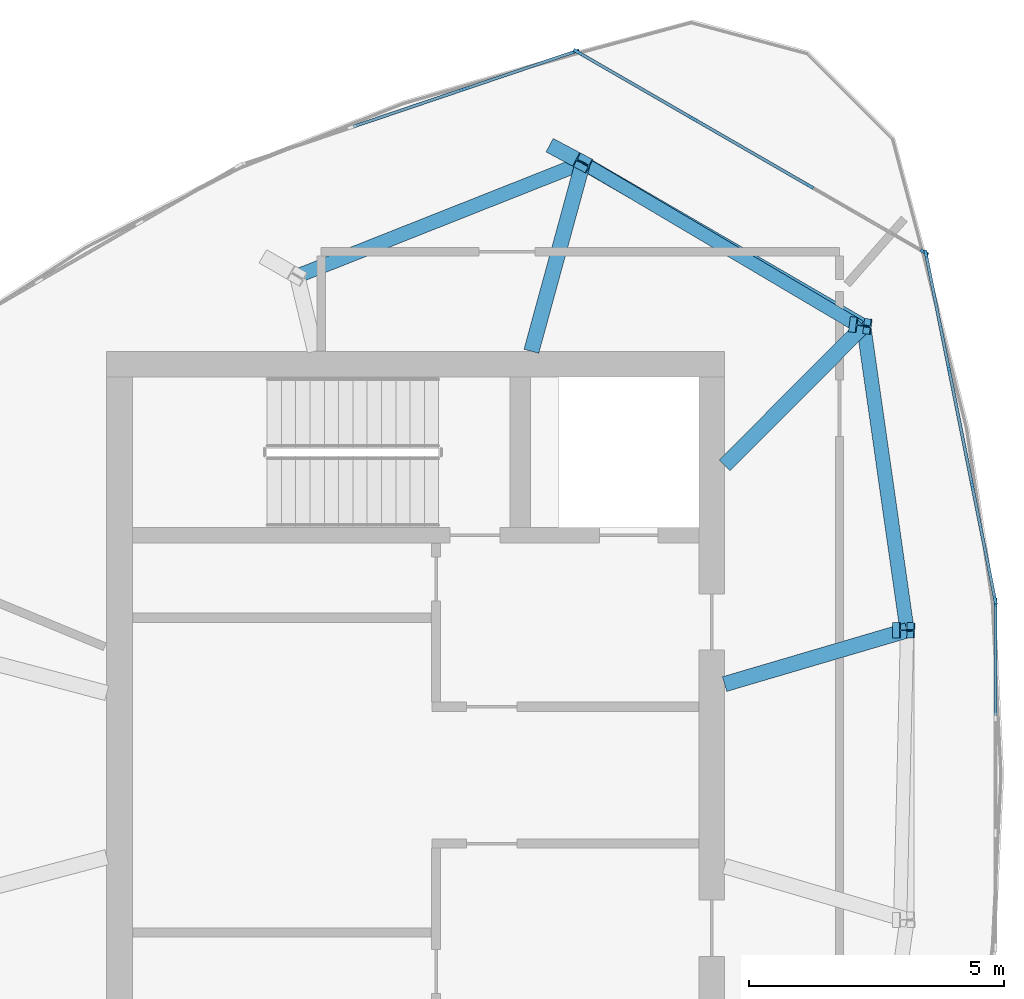
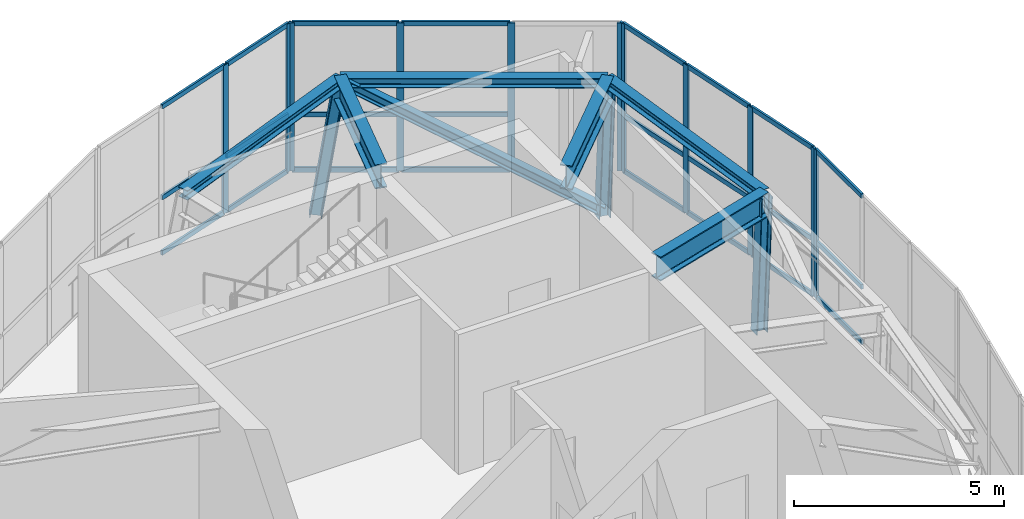
# One storey, part 4 of 9: 42 members, 3 beams, 4 elements without a shape of their own.
"""IFC4 building model written with IfcOpenShell, lengths in metres."""

import ifcopenshell
import ifcopenshell.guid

model = None  # the IFC model being written
_history = None  # IfcOwnerHistory: only IFC2X3 demands one
_inside = {}  # id of a spatial element -> (the spatial element, [elements in it])
_under = {}  # id of a project, library or spatial element -> (it, [spatial elements below it])
_declared = {}  # id of a project -> (the project, [libraries it declares])
_typed = {}  # id of a type object -> (the type object, [elements of that type])
_made_of = {}  # id of a material, layer set ... -> (it, [elements and type objects made of it])


def new_model(schema):
    """Start an empty IFC model of exactly this schema.

    Asked for "IFC4X3", IfcOpenShell would pick the latest addendum, in which some entities
    have other attributes; the version numbers below select the first issue.
    IFC2X3 requires an IfcOwnerHistory on every rooted entity: one is made here for all.
    """
    global model, _history
    if schema == "IFC4X3":
        model = ifcopenshell.file(schema_version=(4, 3, 0, 0))
    else:
        model = ifcopenshell.file(schema=schema)
    _inside.clear()
    _under.clear()
    _declared.clear()
    _typed.clear()
    _made_of.clear()
    _history = None
    if model.schema == "IFC2X3":
        org = make("IfcOrganization", Name="unknown")
        user = make(
            "IfcPersonAndOrganization",
            ThePerson=make("IfcPerson", FamilyName="unknown"),
            TheOrganization=org,
        )
        app = make(
            "IfcApplication",
            ApplicationDeveloper=org,
            Version="unknown",
            ApplicationFullName="unknown",
            ApplicationIdentifier="unknown",
        )
        _history = make(
            "IfcOwnerHistory",
            OwningUser=user,
            OwningApplication=app,
            ChangeAction="ADDED",
            CreationDate=0,
        )
    return model


def make(cls, **values):
    """One entity of the class cls with the attributes given. An attribute that is None is left unset."""
    return model.create_entity(
        cls, **{name: value for name, value in values.items() if value is not None}
    )


def rooted(cls, **values):
    """An entity with a GlobalId (a new one), such as an element, a storey or a relation."""
    return make(cls, GlobalId=ifcopenshell.guid.new(), OwnerHistory=_history, **values)


def si_unit(unit_type, name, prefix=None):
    """IfcSIUnit, for example si_unit("LENGTHUNIT", "METRE", prefix="MILLI")."""
    return make("IfcSIUnit", UnitType=unit_type, Prefix=prefix, Name=name)


def assignment(units):
    """IfcUnitAssignment: the units of a project."""
    return None if units is None else make("IfcUnitAssignment", Units=units)


def point(xyz):
    """IfcCartesianPoint."""
    return None if xyz is None else make("IfcCartesianPoint", Coordinates=xyz)


def direction(xyz):
    """IfcDirection."""
    return None if xyz is None else make("IfcDirection", DirectionRatios=xyz)


def frame(location, z_axis=None, x_axis=None):
    """IfcAxis2Placement3D, a coordinate frame: its origin and axes. An axis left out is left unset."""
    return make(
        "IfcAxis2Placement3D",
        Location=point(location),
        Axis=direction(z_axis),
        RefDirection=direction(x_axis),
    )


def frame_2d(location, x_axis=None):
    """IfcAxis2Placement2D, a coordinate frame in the plane: its origin and x axis."""
    return make(
        "IfcAxis2Placement2D", Location=point(location), RefDirection=direction(x_axis)
    )


def origin():
    """The frame at (0, 0, 0) with its axes left unset."""
    return frame((0.0, 0.0, 0.0))


def origin_2d():
    """The frame at (0, 0) in the plane with its x axis left unset."""
    return frame_2d((0.0, 0.0))


def place(relative_to, where):
    """IfcLocalPlacement: puts the frame where relative to a parent placement (None: the world)."""
    return make(
        "IfcLocalPlacement", PlacementRelTo=relative_to, RelativePlacement=where
    )


def context(
    kind, dimensions, precision=None, world=None, true_north=None, identifier=None
):
    """IfcGeometricRepresentationContext, for example the 3D "Model" context."""
    return make(
        "IfcGeometricRepresentationContext",
        ContextIdentifier=identifier,
        ContextType=kind,
        CoordinateSpaceDimension=dimensions,
        Precision=precision,
        WorldCoordinateSystem=world,
        TrueNorth=true_north,
    )


def subcontext(parent, identifier, kind, view, scale=None):
    """IfcGeometricRepresentationSubContext, for example "Body" below "Model"."""
    return make(
        "IfcGeometricRepresentationSubContext",
        ContextIdentifier=identifier,
        ContextType=kind,
        ParentContext=parent,
        TargetScale=scale,
        TargetView=view,
    )


def project(units=None, contexts=None):
    """IfcProject with its units and contexts."""
    return rooted(
        "IfcProject",
        Name="project",
        RepresentationContexts=contexts,
        UnitsInContext=assignment(units),
    )


def spatial(cls, under=None, at=None, **own):
    """A site, building, storey or space (cls), placed at a placement, below another one or the project."""
    s = rooted(cls, ObjectPlacement=at, **own)
    if under is not None:
        _under.setdefault(under.id(), (under, []))[1].append(s)
    return s


def profile(cls, at=None, kind="AREA", **sizes):
    """A parametric profile (cls). Its sizes go by their IFC names, for example OverallWidth=200.0."""
    return make(cls, ProfileType=kind, Position=at, **sizes)


def rectangle(**sizes):
    """IfcRectangleProfileDef."""
    return profile("IfcRectangleProfileDef", **sizes)


def i_section(**sizes):
    """IfcIShapeProfileDef."""
    return profile("IfcIShapeProfileDef", **sizes)


def extrude(swept, where, along, depth):
    """IfcExtrudedAreaSolid: the profile swept, set in the frame where, extruded along a direction by depth."""
    return make(
        "IfcExtrudedAreaSolid",
        SweptArea=swept,
        Position=where,
        ExtrudedDirection=direction(along),
        Depth=depth,
    )


def shape(context_of_items, identifier, shape_type, items):
    """IfcShapeRepresentation: the items that make up one representation, for example the "Body"."""
    return make(
        "IfcShapeRepresentation",
        ContextOfItems=context_of_items,
        RepresentationIdentifier=identifier,
        RepresentationType=shape_type,
        Items=items,
    )


def source(mapping_origin, context_of_items, identifier, shape_type, items):
    """IfcRepresentationMap: a shape defined once, which mapped items show again and again."""
    return make(
        "IfcRepresentationMap",
        MappingOrigin=mapping_origin,
        MappedRepresentation=shape(context_of_items, identifier, shape_type, items),
    )


def transform(
    local_origin,
    x_axis=None,
    y_axis=None,
    z_axis=None,
    scale=None,
    scale2=None,
    scale3=None,
    uniform=True,
):
    """IfcCartesianTransformationOperator3D, or its non-uniform kind. x_axis, y_axis, z_axis: its Axis1, 2, 3."""
    if uniform:
        return make(
            "IfcCartesianTransformationOperator3D",
            Axis1=direction(x_axis),
            Axis2=direction(y_axis),
            LocalOrigin=point(local_origin),
            Scale=scale,
            Axis3=direction(z_axis),
        )
    return make(
        "IfcCartesianTransformationOperator3DnonUniform",
        Axis1=direction(x_axis),
        Axis2=direction(y_axis),
        LocalOrigin=point(local_origin),
        Scale=scale,
        Axis3=direction(z_axis),
        Scale2=scale2,
        Scale3=scale3,
    )


def mapped(mapping_source, mapping_target):
    """IfcMappedItem: shows the shape of a source again, moved by a transform."""
    return make(
        "IfcMappedItem", MappingSource=mapping_source, MappingTarget=mapping_target
    )


def material(Name=None, Category=None):
    """IfcMaterial."""
    return make("IfcMaterial", Name=Name, Category=Category)


def layer(
    of_material, thickness, ventilated=None, Name=None, Category=None, Priority=None
):
    """IfcMaterialLayer: one layer of a wall or slab, of a material (None: an air gap)."""
    return make(
        "IfcMaterialLayer",
        Material=of_material,
        LayerThickness=thickness,
        IsVentilated=ventilated,
        Name=Name,
        Category=Category,
        Priority=Priority,
    )


def layer_set(layers, Name=None):
    """IfcMaterialLayerSet."""
    return make("IfcMaterialLayerSet", MaterialLayers=layers, LayerSetName=Name)


def material_profile(
    of_material, cross_section, Name=None, Category=None, Priority=None
):
    """IfcMaterialProfile: a cross section and its material."""
    return make(
        "IfcMaterialProfile",
        Name=Name,
        Material=of_material,
        Profile=cross_section,
        Priority=Priority,
        Category=Category,
    )


def profile_set(profiles, Name=None, composite=None):
    """IfcMaterialProfileSet."""
    return make(
        "IfcMaterialProfileSet",
        Name=Name,
        MaterialProfiles=profiles,
        CompositeProfile=composite,
    )


def made_of(thing, what):
    """Note that an element or type object is made of a material, layer set ...; save() writes the relation."""
    if what is not None:
        _made_of.setdefault(what.id(), (what, []))[1].append(thing)
    return thing


def type_object(cls, material=None, **own):
    """A type object (cls), such as IfcWallType, which elements share."""
    return made_of(rooted(cls, **own), material)


def element(
    cls,
    number,
    at=None,
    inside=None,
    cuts=None,
    type_object=None,
    material=None,
    context=None,
    identifier="Body",
    shape_type=None,
    held_by="IfcProductDefinitionShape",
    body=None,
    shapes=None,
    **own,
):
    """One element of the class cls, such as IfcWall. Its Tag is "e" and its number.

    at: its placement. inside: the storey or other place that contains it. cuts: it is an
    opening in that element (IfcRelVoidsElement). A single representation is given by context,
    identifier, shape_type and body (its items); several are given by shapes. held_by: the class
    of the entity that holds the representations. save() writes the other relations.
    """
    e = rooted(cls, Tag="e%d" % number, ObjectPlacement=at, **own)
    if body is not None:
        shapes = [shape(context, identifier, shape_type, body)]
    if shapes is not None:
        e.Representation = make(held_by, Representations=shapes)
    if inside is not None:
        _inside.setdefault(inside.id(), (inside, []))[1].append(e)
    if cuts is not None:
        rooted(
            "IfcRelVoidsElement", RelatingBuildingElement=cuts, RelatedOpeningElement=e
        )
    if type_object is not None:
        _typed.setdefault(type_object.id(), (type_object, []))[1].append(e)
    return made_of(e, material)


def aggregate(whole, parts):
    """IfcRelAggregates: a whole, such as a stair, and the parts it consists of."""
    return rooted("IfcRelAggregates", RelatingObject=whole, RelatedObjects=parts)


def save(model, path):
    """Write the relations noted so far, then the file.

    IfcRelAggregates (storeys below a building ...), IfcRelContainedInSpatialStructure (elements
    in a storey), IfcRelDefinesByType, IfcRelAssociatesMaterial and IfcRelDeclares: one each for
    every whole, place, type object, material and project.
    """
    for whole, parts in _under.values():
        aggregate(whole, parts)
    for where, things in _inside.values():
        rooted(
            "IfcRelContainedInSpatialStructure",
            RelatedElements=things,
            RelatingStructure=where,
        )
    for kind, things in _typed.values():
        rooted("IfcRelDefinesByType", RelatedObjects=things, RelatingType=kind)
    for what, things in _made_of.values():
        rooted("IfcRelAssociatesMaterial", RelatedObjects=things, RelatingMaterial=what)
    for by, libraries in _declared.values():
        rooted("IfcRelDeclares", RelatingContext=by, RelatedDefinitions=libraries)
    model.write(path)


model = new_model("IFC4")

# Units and contexts
model_context = context("Model", 3, precision=1e-05, world=origin(), true_north=direction((0.0, 1.0)))
body_context = subcontext(model_context, "Body", "Model", "MODEL_VIEW")
ifc_project = project(units=[si_unit("LENGTHUNIT", "METRE"), si_unit("AREAUNIT", "SQUARE_METRE"), si_unit("VOLUMEUNIT", "CUBIC_METRE"), si_unit("PLANEANGLEUNIT", "RADIAN"), si_unit("MASSUNIT", "GRAM", prefix="KILO")], contexts=[model_context])

# Site, building, storey
site_placement = place(None, origin())
site = spatial("IfcSite", under=ifc_project, at=site_placement, CompositionType="ELEMENT")
building_placement = place(site_placement, origin())
building = spatial("IfcBuilding", under=site, at=building_placement, Name="Qafzar Sky-Pleat Residences", CompositionType="ELEMENT")
storey_placement = place(building_placement, frame((0.0, 0.0, 266.10009765625)))
storey = spatial("IfcBuildingStorey", under=building, at=storey_placement, Name="L79 Crown", CompositionType="ELEMENT", Elevation=266.10009765625)

# Members
ifc_material_1 = material(Name="Steel S460", Category="steel")
ifc_material_profile_1 = material_profile(ifc_material_1, i_section(OverallWidth=0.300048828125, OverallDepth=0.300048828125, WebThickness=0.010986328125, FlangeThickness=0.01904296875, FilletRadius=0.027099609375, at=origin_2d()), Name="HEB 300")
ifc_profile_set_1 = profile_set([ifc_material_profile_1], Name="Steel S460")
member_type_1 = type_object("IfcMemberType", Name="MEM-CROWN-RIB", PredefinedType="CHORD", material=ifc_profile_set_1)
shared_shape_1 = source(origin(), body_context, "Body", "SweptSolid", [
    extrude(i_section(OverallWidth=0.300048828125, OverallDepth=0.300048828125, WebThickness=0.010986328125, FlangeThickness=0.01904296875, FilletRadius=0.027099609375, at=origin_2d()), origin(), (0.0, 0.0, 1.0), 3.898193359375),
])
member_1_placement = place(storey_placement, frame((38.9931640625, 34.812744140625, 0.0), z_axis=(0.033443834759, -0.004133507667, 0.999432050732), x_axis=(0.122662172065, 0.992448483068, 0.0)))
element("IfcMember", 1, at=member_1_placement, inside=storey, type_object=member_type_1, Name="L79 Crown CROWN FRAME Inclined Rib 9", PredefinedType="CHORD", context=body_context, shape_type="MappedRepresentation", body=[
    mapped(shared_shape_1, transform((0.0, 0.0, 0.0), x_axis=(1.0, 0.0, 0.0), y_axis=(0.0, 1.0, 0.0), z_axis=(0.0, 0.0, 1.0), scale=1.0)),
])
shared_shape_2 = source(origin(), body_context, "Body", "SweptSolid", [
    extrude(i_section(OverallWidth=0.300048828125, OverallDepth=0.300048828125, WebThickness=0.010986328125, FlangeThickness=0.01904296875, FilletRadius=0.027099609375, at=origin_2d()), origin(), (0.0, 0.0, 1.0), 3.8984375),
])
member_2_placement = place(storey_placement, frame((39.837158203125, 28.8359375, 0.0), z_axis=(0.03500797869, -0.0003131304, 0.999386983794), x_axis=(0.008944186046, 0.999959999968, 0.0)))
element("IfcMember", 2, at=member_2_placement, inside=storey, type_object=member_type_1, Name="L79 Crown CROWN FRAME Inclined Rib 8", PredefinedType="CHORD", context=body_context, shape_type="MappedRepresentation", body=[
    mapped(shared_shape_2, transform((0.0, 0.0, 0.0), x_axis=(1.0, 0.0, 0.0), y_axis=(0.0, 1.0, 0.0), z_axis=(0.0, 0.0, 1.0), scale=1.0)),
])
shared_shape_3 = source(origin(), body_context, "Body", "SweptSolid", [
    extrude(i_section(OverallWidth=0.300048828125, OverallDepth=0.300048828125, WebThickness=0.010986328125, FlangeThickness=0.01904296875, FilletRadius=0.027099609375, at=origin_2d()), origin(), (0.0, 0.0, 1.0), 3.940185546875),
])
member_3_placement = place(storey_placement, frame((33.10400390625, 38.265625, 0.0), z_axis=(0.13191647967, -0.070016731812, 0.988784961282), x_axis=(0.468821513928, 0.883292923145, 0.0)))
element("IfcMember", 3, at=member_3_placement, inside=storey, type_object=member_type_1, Name="L79 Crown CROWN FRAME Inclined Rib 10", PredefinedType="CHORD", context=body_context, shape_type="MappedRepresentation", body=[
    mapped(shared_shape_3, transform((0.0, 0.0, 0.0), x_axis=(1.0, 0.0, 0.0), y_axis=(0.0, 1.0, 0.0), z_axis=(0.0, 0.0, 1.0), scale=1.0)),
])
ifc_material_2 = material(Name="Steel S355", Category="steel")
ifc_material_profile_2 = material_profile(ifc_material_2, i_section(OverallWidth=0.280029296875, OverallDepth=0.280029296875, WebThickness=0.010498046875, FlangeThickness=0.01806640625, FilletRadius=0.02392578125, at=origin_2d()), Name="HEB 280")
ifc_profile_set_2 = profile_set([ifc_material_profile_2], Name="Steel S355")
member_type_2 = type_object("IfcMemberType", Name="MEM-CROWN-RING", PredefinedType="PURLIN", material=ifc_profile_set_2)
shared_shape_4 = source(origin(), body_context, "Body", "SweptSolid", [
    extrude(i_section(OverallWidth=0.280029296875, OverallDepth=0.280029296875, WebThickness=0.010498046875, FlangeThickness=0.01806640625, FilletRadius=0.02392578125, at=origin_2d()), origin(), (0.0, 0.0, 1.0), 6.017333984375),
])
member_4_placement = place(storey_placement, frame((33.623779296875, 37.98974609375, 3.906005859375), z_axis=(-0.929683335589, -0.368359736572, 0.0), x_axis=(0.368359736572, -0.929683335589, 0.0)))
element("IfcMember", 4, at=member_4_placement, inside=storey, type_object=member_type_2, Name="L79 Crown CROWN FRAME Ring Beam 10", PredefinedType="PURLIN", context=body_context, shape_type="MappedRepresentation", body=[
    mapped(shared_shape_4, transform((0.0, 0.0, 0.0), x_axis=(1.0, 0.0, 0.0), y_axis=(0.0, 1.0, 0.0), z_axis=(0.0, 0.0, 1.0), scale=1.0)),
])
shared_shape_5 = source(origin(), body_context, "Body", "SweptSolid", [
    extrude(i_section(OverallWidth=0.280029296875, OverallDepth=0.280029296875, WebThickness=0.010498046875, FlangeThickness=0.01806640625, FilletRadius=0.02392578125, at=origin_2d()), origin(), (0.0, 0.0, 1.0), 6.359619140625),
])
member_5_placement = place(storey_placement, frame((39.12353515625, 34.796630859375, 3.906005859375), z_axis=(-0.864808842943, 0.502101249916, 0.0), x_axis=(-0.502101249916, -0.864808842943, 0.0)))
element("IfcMember", 5, at=member_5_placement, inside=storey, type_object=member_type_2, Name="L79 Crown CROWN FRAME Ring Beam 9", PredefinedType="PURLIN", context=body_context, shape_type="MappedRepresentation", body=[
    mapped(shared_shape_5, transform((0.0, 0.0, 0.0), x_axis=(1.0, 0.0, 0.0), y_axis=(0.0, 1.0, 0.0), z_axis=(0.0, 0.0, 1.0), scale=1.0)),
])
shared_shape_6 = source(origin(), body_context, "Body", "SweptSolid", [
    extrude(i_section(OverallWidth=0.280029296875, OverallDepth=0.280029296875, WebThickness=0.010498046875, FlangeThickness=0.01806640625, FilletRadius=0.02392578125, at=origin_2d()), origin(), (0.0, 0.0, 1.0), 6.022216796875),
])
member_6_placement = place(storey_placement, frame((39.9736328125, 28.834716796875, 3.906005859375), z_axis=(-0.141160273731, 0.989986756033, 0.0), x_axis=(-0.989986756033, -0.141160273731, 0.0)))
element("IfcMember", 6, at=member_6_placement, inside=storey, type_object=member_type_2, Name="L79 Crown CROWN FRAME Ring Beam 8", PredefinedType="PURLIN", context=body_context, shape_type="MappedRepresentation", body=[
    mapped(shared_shape_6, transform((0.0, 0.0, 0.0), x_axis=(1.0, 0.0, 0.0), y_axis=(0.0, 1.0, 0.0), z_axis=(0.0, 0.0, 1.0), scale=1.0)),
])
ifc_material_profile_3 = material_profile(ifc_material_2, i_section(OverallWidth=0.260009765625, OverallDepth=0.260009765625, WebThickness=0.010009765625, FlangeThickness=0.017578125, FilletRadius=0.02392578125, at=origin_2d()), Name="HEB 260")
ifc_profile_set_3 = profile_set([ifc_material_profile_3], Name="Steel S355")
member_type_3 = type_object("IfcMemberType", Name="MEM-CROWN-DIAG", PredefinedType="BRACE", material=ifc_profile_set_3)
shared_shape_7 = source(origin(), body_context, "Body", "SweptSolid", [
    extrude(i_section(OverallWidth=0.260009765625, OverallDepth=0.260009765625, WebThickness=0.010009765625, FlangeThickness=0.017578125, FilletRadius=0.02392578125, at=origin_2d()), origin(), (0.0, 0.0, 1.0), 7.26171875),
])
member_7_placement = place(storey_placement, frame((38.9931640625, 34.812744140625, 0.199951171875), z_axis=(-0.73940815663, 0.437499128915, 0.511732439961), x_axis=(-0.509226259187, -0.860632684108, 0.0)))
element("IfcMember", 7, at=member_7_placement, inside=storey, type_object=member_type_3, Name="L79 Crown CROWN FRAME Wind Brace 9", PredefinedType="BRACE", context=body_context, shape_type="MappedRepresentation", body=[
    mapped(shared_shape_7, transform((0.0, 0.0, 0.0), x_axis=(1.0, 0.0, 0.0), y_axis=(0.0, 1.0, 0.0), z_axis=(0.0, 0.0, 1.0), scale=1.0)),
])

# Beams
ifc_material_profile_4 = material_profile(ifc_material_1, i_section(OverallWidth=0.300048828125, OverallDepth=0.699951171875, WebThickness=0.01708984375, FlangeThickness=0.031982421875, FilletRadius=0.027099609375, at=origin_2d()), Name="HEB 700")
ifc_profile_set_4 = profile_set([ifc_material_profile_4], Name="Steel S460")
beam_type = type_object("IfcBeamType", Name="BM-CHORD-HEB700", PredefinedType="BEAM", material=ifc_profile_set_4)
shared_shape_8 = source(origin(), body_context, "Body", "SweptSolid", [
    extrude(i_section(OverallWidth=0.300048828125, OverallDepth=0.699951171875, WebThickness=0.01708984375, FlangeThickness=0.031982421875, FilletRadius=0.027099609375, at=origin_2d()), origin(), (0.0, 0.0, 1.0), 3.82470703125),
])
beam_1_placement = place(storey_placement, frame((33.623779296875, 37.98974609375, 3.697998046875), z_axis=(-0.263430654969, -0.964678335002, 0.0), x_axis=(0.964678335002, -0.263430654969, 0.0)))
element("IfcBeam", 8, at=beam_1_placement, inside=storey, type_object=beam_type, Name="L80 Crown Crown Rib Base Transfer Beam 10", PredefinedType="BEAM", context=body_context, shape_type="MappedRepresentation", body=[
    mapped(shared_shape_8, transform((0.0, 0.0, 0.0), x_axis=(1.0, 0.0, 0.0), y_axis=(0.0, 1.0, 0.0), z_axis=(0.0, 0.0, 1.0), scale=1.0)),
])
shared_shape_9 = source(origin(), body_context, "Body", "SweptSolid", [
    extrude(i_section(OverallWidth=0.300048828125, OverallDepth=0.699951171875, WebThickness=0.01708984375, FlangeThickness=0.031982421875, FilletRadius=0.027099609375, at=origin_2d()), origin(), (0.0, 0.0, 1.0), 3.856689453125),
])
beam_2_placement = place(storey_placement, frame((39.12353515625, 34.796630859375, 3.697998046875), z_axis=(-0.706188317892, -0.708024053032, 0.0), x_axis=(0.708024053032, -0.706188317892, 0.0)))
element("IfcBeam", 9, at=beam_2_placement, inside=storey, type_object=beam_type, Name="L80 Crown Crown Rib Base Transfer Beam 9", PredefinedType="BEAM", context=body_context, shape_type="MappedRepresentation", body=[
    mapped(shared_shape_9, transform((0.0, 0.0, 0.0), x_axis=(1.0, 0.0, 0.0), y_axis=(0.0, 1.0, 0.0), z_axis=(0.0, 0.0, 1.0), scale=1.0)),
])
shared_shape_10 = source(origin(), body_context, "Body", "SweptSolid", [
    extrude(i_section(OverallWidth=0.300048828125, OverallDepth=0.699951171875, WebThickness=0.01708984375, FlangeThickness=0.031982421875, FilletRadius=0.027099609375, at=origin_2d()), origin(), (0.0, 0.0, 1.0), 3.7255859375),
])
beam_3_placement = place(storey_placement, frame((39.9736328125, 28.834716796875, 3.697998046875), z_axis=(-0.95924645831, -0.28257075613, 0.0), x_axis=(0.28257075613, -0.95924645831, 0.0)))
element("IfcBeam", 10, at=beam_3_placement, inside=storey, type_object=beam_type, Name="L80 Crown Crown Rib Base Transfer Beam 8", PredefinedType="BEAM", context=body_context, shape_type="MappedRepresentation", body=[
    mapped(shared_shape_10, transform((0.0, 0.0, 0.0), x_axis=(1.0, 0.0, 0.0), y_axis=(0.0, 1.0, 0.0), z_axis=(0.0, 0.0, 1.0), scale=1.0)),
])

# Curtain wall, member
ifc_material_3 = material(Name="Anodised bronze aluminium framing", Category="aluminium")
ifc_layer = layer(ifc_material_3, 0.179931640625)
ifc_layer_set = layer_set([ifc_layer], Name="Anodised bronze aluminium framing")
curtain_wall_type = type_object("IfcCurtainWallType", Name="CW-SYS-06", PredefinedType="NOTDEFINED", material=ifc_layer_set)
curtain_wall_1_placement = place(storey_placement, origin())
curtain_wall_1 = element("IfcCurtainWall", 11, at=curtain_wall_1_placement, inside=storey, type_object=curtain_wall_type, Name="L79 Crown CW-06 Curtain Wall CW-CROWN-04-07", PredefinedType="NOTDEFINED")
ifc_material_4 = material(Name="Anodised bronze aluminium", Category="aluminium")
ifc_material_profile_5 = material_profile(ifc_material_4, rectangle(XDim=0.06005859375, YDim=0.179931640625, at=origin_2d()), Name="ALU MULLION 60x180")
ifc_profile_set_5 = profile_set([ifc_material_profile_5], Name="Anodised bronze aluminium")
member_type_4 = type_object("IfcMemberType", Name="CWM-06", PredefinedType="MULLION", material=ifc_profile_set_5)
shared_shape_11 = source(origin(), body_context, "Body", "SweptSolid", [
    extrude(rectangle(XDim=0.06005859375, YDim=0.179931640625, at=origin_2d()), origin(), (0.0, 0.0, 1.0), 4.2998046875),
])
member_8_placement = place(storey_placement, frame((41.701416015625, 29.37841796875, 0.0), z_axis=(0.0, 0.0, 1.0), x_axis=(-1.0, 0.0, 0.0)))
member_8 = element("IfcMember", 12, at=member_8_placement, type_object=member_type_4, Name="CW-06 mullion 4", PredefinedType="MULLION", context=body_context, shape_type="MappedRepresentation", body=[
    mapped(shared_shape_11, transform((0.0, 0.0, 0.0), x_axis=(1.0, 0.0, 0.0), y_axis=(0.0, 1.0, 0.0), z_axis=(0.0, 0.0, 1.0), scale=1.0)),
])

# Curtain wall, members
curtain_wall_2_placement = place(storey_placement, origin())
curtain_wall_2 = element("IfcCurtainWall", 13, at=curtain_wall_2_placement, inside=storey, type_object=curtain_wall_type, Name="L79 Crown CW-06 Curtain Wall CW-CROWN-04-08", PredefinedType="NOTDEFINED")
member_9_placement = place(storey_placement, frame((41.6953125, 29.437744140625, 0.0), z_axis=(0.0, 0.0, 1.0), x_axis=(-0.980580675691, -0.196116135138, 0.0)))
member_9 = element("IfcMember", 14, at=member_9_placement, type_object=member_type_4, Name="CW-06 mullion 1", PredefinedType="MULLION", context=body_context, shape_type="MappedRepresentation", body=[
    mapped(shared_shape_11, transform((0.0, 0.0, 0.0), x_axis=(1.0, 0.0, 0.0), y_axis=(0.0, 1.0, 0.0), z_axis=(0.0, 0.0, 1.0), scale=1.0)),
])
member_10_placement = place(storey_placement, frame((41.246826171875, 31.680419921875, 0.0), z_axis=(0.0, 0.0, 1.0), x_axis=(-0.980580675691, -0.196116135138, 0.0)))
member_10 = element("IfcMember", 15, at=member_10_placement, type_object=member_type_4, Name="CW-06 mullion 2", PredefinedType="MULLION", context=body_context, shape_type="MappedRepresentation", body=[
    mapped(shared_shape_11, transform((0.0, 0.0, 0.0), x_axis=(1.0, 0.0, 0.0), y_axis=(0.0, 1.0, 0.0), z_axis=(0.0, 0.0, 1.0), scale=1.0)),
])
member_11_placement = place(storey_placement, frame((40.79248046875, 33.95263671875, 0.0), z_axis=(0.0, 0.0, 1.0), x_axis=(-0.980580675691, -0.196116135138, 0.0)))
member_11 = element("IfcMember", 16, at=member_11_placement, type_object=member_type_4, Name="CW-06 mullion 3", PredefinedType="MULLION", context=body_context, shape_type="MappedRepresentation", body=[
    mapped(shared_shape_11, transform((0.0, 0.0, 0.0), x_axis=(1.0, 0.0, 0.0), y_axis=(0.0, 1.0, 0.0), z_axis=(0.0, 0.0, 1.0), scale=1.0)),
])
member_12_placement = place(storey_placement, frame((40.343994140625, 36.1953125, 0.0), z_axis=(0.0, 0.0, 1.0), x_axis=(-0.980580675691, -0.196116135138, 0.0)))
member_12 = element("IfcMember", 17, at=member_12_placement, type_object=member_type_4, Name="CW-06 mullion 4", PredefinedType="MULLION", context=body_context, shape_type="MappedRepresentation", body=[
    mapped(shared_shape_11, transform((0.0, 0.0, 0.0), x_axis=(1.0, 0.0, 0.0), y_axis=(0.0, 1.0, 0.0), z_axis=(0.0, 0.0, 1.0), scale=1.0)),
])

curtain_wall_3_placement = place(storey_placement, origin())
curtain_wall_3 = element("IfcCurtainWall", 18, at=curtain_wall_3_placement, inside=storey, type_object=curtain_wall_type, Name="L79 Crown CW-06 Curtain Wall CW-CROWN-04-09", PredefinedType="NOTDEFINED")
member_13_placement = place(storey_placement, frame((40.31201171875, 36.23974609375, 0.0), z_axis=(0.0, 0.0, 1.0), x_axis=(-0.500001400555, -0.866024595172, 0.0)))
member_13 = element("IfcMember", 19, at=member_13_placement, type_object=member_type_4, Name="CW-06 mullion 1", PredefinedType="MULLION", context=body_context, shape_type="MappedRepresentation", body=[
    mapped(shared_shape_11, transform((0.0, 0.0, 0.0), x_axis=(1.0, 0.0, 0.0), y_axis=(0.0, 1.0, 0.0), z_axis=(0.0, 0.0, 1.0), scale=1.0)),
])
member_14_placement = place(storey_placement, frame((38.056640625, 37.5419921875, 0.0), z_axis=(0.0, 0.0, 1.0), x_axis=(-0.500001400555, -0.866024595172, 0.0)))
member_14 = element("IfcMember", 20, at=member_14_placement, type_object=member_type_4, Name="CW-06 mullion 2", PredefinedType="MULLION", context=body_context, shape_type="MappedRepresentation", body=[
    mapped(shared_shape_11, transform((0.0, 0.0, 0.0), x_axis=(1.0, 0.0, 0.0), y_axis=(0.0, 1.0, 0.0), z_axis=(0.0, 0.0, 1.0), scale=1.0)),
])
member_15_placement = place(storey_placement, frame((35.775390625, 38.859130859375, 0.0), z_axis=(0.0, 0.0, 1.0), x_axis=(-0.500001400555, -0.866024595172, 0.0)))
member_15 = element("IfcMember", 21, at=member_15_placement, type_object=member_type_4, Name="CW-06 mullion 3", PredefinedType="MULLION", context=body_context, shape_type="MappedRepresentation", body=[
    mapped(shared_shape_11, transform((0.0, 0.0, 0.0), x_axis=(1.0, 0.0, 0.0), y_axis=(0.0, 1.0, 0.0), z_axis=(0.0, 0.0, 1.0), scale=1.0)),
])
member_16_placement = place(storey_placement, frame((33.52001953125, 40.1611328125, 0.0), z_axis=(0.0, 0.0, 1.0), x_axis=(-0.500001400555, -0.866024595172, 0.0)))
member_16 = element("IfcMember", 22, at=member_16_placement, type_object=member_type_4, Name="CW-06 mullion 4", PredefinedType="MULLION", context=body_context, shape_type="MappedRepresentation", body=[
    mapped(shared_shape_11, transform((0.0, 0.0, 0.0), x_axis=(1.0, 0.0, 0.0), y_axis=(0.0, 1.0, 0.0), z_axis=(0.0, 0.0, 1.0), scale=1.0)),
])

curtain_wall_4_placement = place(storey_placement, origin())
curtain_wall_4 = element("IfcCurtainWall", 23, at=curtain_wall_4_placement, inside=storey, type_object=curtain_wall_type, Name="L79 Crown CW-06 Curtain Wall CW-CROWN-04-10", PredefinedType="NOTDEFINED")
member_17_placement = place(storey_placement, frame((33.465576171875, 40.16650390625, 0.0), z_axis=(0.0, 0.0, 1.0), x_axis=(0.320445261328, -0.947267034417, 0.0)))
member_17 = element("IfcMember", 24, at=member_17_placement, type_object=member_type_4, Name="CW-06 mullion 1", PredefinedType="MULLION", context=body_context, shape_type="MappedRepresentation", body=[
    mapped(shared_shape_11, transform((0.0, 0.0, 0.0), x_axis=(1.0, 0.0, 0.0), y_axis=(0.0, 1.0, 0.0), z_axis=(0.0, 0.0, 1.0), scale=1.0)),
])
member_18_placement = place(storey_placement, frame((31.299072265625, 39.43359375, 0.0), z_axis=(0.0, 0.0, 1.0), x_axis=(0.320445261328, -0.947267034417, 0.0)))
member_18 = element("IfcMember", 25, at=member_18_placement, type_object=member_type_4, Name="CW-06 mullion 2", PredefinedType="MULLION", context=body_context, shape_type="MappedRepresentation", body=[
    mapped(shared_shape_11, transform((0.0, 0.0, 0.0), x_axis=(1.0, 0.0, 0.0), y_axis=(0.0, 1.0, 0.0), z_axis=(0.0, 0.0, 1.0), scale=1.0)),
])

# Member
ifc_material_profile_6 = material_profile(ifc_material_4, rectangle(XDim=0.06005859375, YDim=0.135009765625, at=origin_2d()), Name="ALU TRANSOM 60x135")
ifc_profile_set_6 = profile_set([ifc_material_profile_6], Name="Anodised bronze aluminium")
member_type_5 = type_object("IfcMemberType", Name="CWT-06", PredefinedType="USERDEFINED", material=ifc_profile_set_6)
shared_shape_12 = source(origin(), body_context, "Body", "SweptSolid", [
    extrude(rectangle(XDim=0.06005859375, YDim=0.135009765625, at=origin_2d()), origin(), (0.0, 0.0, 1.0), 2.544189453125),
])
member_19_placement = place(storey_placement, frame((35.749267578125, 38.8740234375, 0.02978515625), z_axis=(-0.866008208854, 0.500029781311, 0.0), x_axis=(-0.500029781311, -0.866008208854, 0.0)))
member_19 = element("IfcMember", 26, at=member_19_placement, type_object=member_type_5, Name="CW-06 transom 3.1", ObjectType="TRANSOM", PredefinedType="USERDEFINED", context=body_context, shape_type="MappedRepresentation", body=[
    mapped(shared_shape_12, transform((0.0, 0.0, 0.0), x_axis=(1.0, 0.0, 0.0), y_axis=(0.0, 1.0, 0.0), z_axis=(0.0, 0.0, 1.0), scale=1.0)),
])

member_20_placement = place(storey_placement, frame((35.749267578125, 38.8740234375, 1.6337890625), z_axis=(-0.866008208854, 0.500029781311, 0.0), x_axis=(-0.500029781311, -0.866008208854, 0.0)))
member_20 = element("IfcMember", 27, at=member_20_placement, type_object=member_type_5, Name="CW-06 transom 3.2", ObjectType="TRANSOM", PredefinedType="USERDEFINED", context=body_context, shape_type="MappedRepresentation", body=[
    mapped(shared_shape_12, transform((0.0, 0.0, 0.0), x_axis=(1.0, 0.0, 0.0), y_axis=(0.0, 1.0, 0.0), z_axis=(0.0, 0.0, 1.0), scale=1.0)),
])

member_21_placement = place(storey_placement, frame((35.749267578125, 38.8740234375, 4.27001953125), z_axis=(-0.866008208854, 0.500029781311, 0.0), x_axis=(-0.500029781311, -0.866008208854, 0.0)))
member_21 = element("IfcMember", 28, at=member_21_placement, type_object=member_type_5, Name="CW-06 transom 3.3", ObjectType="TRANSOM", PredefinedType="USERDEFINED", context=body_context, shape_type="MappedRepresentation", body=[
    mapped(shared_shape_12, transform((0.0, 0.0, 0.0), x_axis=(1.0, 0.0, 0.0), y_axis=(0.0, 1.0, 0.0), z_axis=(0.0, 0.0, 1.0), scale=1.0)),
])

shared_shape_13 = source(origin(), body_context, "Body", "SweptSolid", [
    extrude(rectangle(XDim=0.06005859375, YDim=0.135009765625, at=origin_2d()), origin(), (0.0, 0.0, 1.0), 2.25732421875),
])
member_22_placement = place(storey_placement, frame((31.2705078125, 39.424072265625, 0.02978515625), z_axis=(-0.947256891862, -0.320475242132, 0.0), x_axis=(0.320475242132, -0.947256891862, 0.0)))
member_22 = element("IfcMember", 29, at=member_22_placement, type_object=member_type_5, Name="CW-06 transom 2.1", ObjectType="TRANSOM", PredefinedType="USERDEFINED", context=body_context, shape_type="MappedRepresentation", body=[
    mapped(shared_shape_13, transform((0.0, 0.0, 0.0), x_axis=(1.0, 0.0, 0.0), y_axis=(0.0, 1.0, 0.0), z_axis=(0.0, 0.0, 1.0), scale=1.0)),
])

member_23_placement = place(storey_placement, frame((31.2705078125, 39.424072265625, 1.6337890625), z_axis=(-0.947256891862, -0.320475242132, 0.0), x_axis=(0.320475242132, -0.947256891862, 0.0)))
member_23 = element("IfcMember", 30, at=member_23_placement, type_object=member_type_5, Name="CW-06 transom 2.2", ObjectType="TRANSOM", PredefinedType="USERDEFINED", context=body_context, shape_type="MappedRepresentation", body=[
    mapped(shared_shape_13, transform((0.0, 0.0, 0.0), x_axis=(1.0, 0.0, 0.0), y_axis=(0.0, 1.0, 0.0), z_axis=(0.0, 0.0, 1.0), scale=1.0)),
])

member_24_placement = place(storey_placement, frame((31.2705078125, 39.424072265625, 4.27001953125), z_axis=(-0.947256891862, -0.320475242132, 0.0), x_axis=(0.320475242132, -0.947256891862, 0.0)))
member_24 = element("IfcMember", 31, at=member_24_placement, type_object=member_type_5, Name="CW-06 transom 2.3", ObjectType="TRANSOM", PredefinedType="USERDEFINED", context=body_context, shape_type="MappedRepresentation", body=[
    mapped(shared_shape_13, transform((0.0, 0.0, 0.0), x_axis=(1.0, 0.0, 0.0), y_axis=(0.0, 1.0, 0.0), z_axis=(0.0, 0.0, 1.0), scale=1.0)),
])

shared_shape_14 = source(origin(), body_context, "Body", "SweptSolid", [
    extrude(rectangle(XDim=0.06005859375, YDim=0.135009765625, at=origin_2d()), origin(), (0.0, 0.0, 1.0), 2.227294921875),
])
member_25_placement = place(storey_placement, frame((41.689453125, 29.467041015625, 0.02978515625), z_axis=(-0.196095055949, 0.980584891293, 0.0), x_axis=(-0.980584891293, -0.196095055949, 0.0)))
member_25 = element("IfcMember", 32, at=member_25_placement, type_object=member_type_5, Name="CW-06 transom 1.1", ObjectType="TRANSOM", PredefinedType="USERDEFINED", context=body_context, shape_type="MappedRepresentation", body=[
    mapped(shared_shape_14, transform((0.0, 0.0, 0.0), x_axis=(1.0, 0.0, 0.0), y_axis=(0.0, 1.0, 0.0), z_axis=(0.0, 0.0, 1.0), scale=1.0)),
])

member_26_placement = place(storey_placement, frame((41.689453125, 29.467041015625, 1.6337890625), z_axis=(-0.196095055949, 0.980584891293, 0.0), x_axis=(-0.980584891293, -0.196095055949, 0.0)))
member_26 = element("IfcMember", 33, at=member_26_placement, type_object=member_type_5, Name="CW-06 transom 1.2", ObjectType="TRANSOM", PredefinedType="USERDEFINED", context=body_context, shape_type="MappedRepresentation", body=[
    mapped(shared_shape_14, transform((0.0, 0.0, 0.0), x_axis=(1.0, 0.0, 0.0), y_axis=(0.0, 1.0, 0.0), z_axis=(0.0, 0.0, 1.0), scale=1.0)),
])

member_27_placement = place(storey_placement, frame((41.689453125, 29.467041015625, 4.27001953125), z_axis=(-0.196095055949, 0.980584891293, 0.0), x_axis=(-0.980584891293, -0.196095055949, 0.0)))
member_27 = element("IfcMember", 34, at=member_27_placement, type_object=member_type_5, Name="CW-06 transom 1.3", ObjectType="TRANSOM", PredefinedType="USERDEFINED", context=body_context, shape_type="MappedRepresentation", body=[
    mapped(shared_shape_14, transform((0.0, 0.0, 0.0), x_axis=(1.0, 0.0, 0.0), y_axis=(0.0, 1.0, 0.0), z_axis=(0.0, 0.0, 1.0), scale=1.0)),
])

member_28_placement = place(storey_placement, frame((40.78662109375, 33.98193359375, 0.02978515625), z_axis=(-0.196095055949, 0.980584891293, 0.0), x_axis=(-0.980584891293, -0.196095055949, 0.0)))
member_28 = element("IfcMember", 35, at=member_28_placement, type_object=member_type_5, Name="CW-06 transom 3.1", ObjectType="TRANSOM", PredefinedType="USERDEFINED", context=body_context, shape_type="MappedRepresentation", body=[
    mapped(shared_shape_14, transform((0.0, 0.0, 0.0), x_axis=(1.0, 0.0, 0.0), y_axis=(0.0, 1.0, 0.0), z_axis=(0.0, 0.0, 1.0), scale=1.0)),
])

member_29_placement = place(storey_placement, frame((40.78662109375, 33.98193359375, 1.6337890625), z_axis=(-0.196095055949, 0.980584891293, 0.0), x_axis=(-0.980584891293, -0.196095055949, 0.0)))
member_29 = element("IfcMember", 36, at=member_29_placement, type_object=member_type_5, Name="CW-06 transom 3.2", ObjectType="TRANSOM", PredefinedType="USERDEFINED", context=body_context, shape_type="MappedRepresentation", body=[
    mapped(shared_shape_14, transform((0.0, 0.0, 0.0), x_axis=(1.0, 0.0, 0.0), y_axis=(0.0, 1.0, 0.0), z_axis=(0.0, 0.0, 1.0), scale=1.0)),
])

member_30_placement = place(storey_placement, frame((40.78662109375, 33.98193359375, 4.27001953125), z_axis=(-0.196095055949, 0.980584891293, 0.0), x_axis=(-0.980584891293, -0.196095055949, 0.0)))
member_30 = element("IfcMember", 37, at=member_30_placement, type_object=member_type_5, Name="CW-06 transom 3.3", ObjectType="TRANSOM", PredefinedType="USERDEFINED", context=body_context, shape_type="MappedRepresentation", body=[
    mapped(shared_shape_14, transform((0.0, 0.0, 0.0), x_axis=(1.0, 0.0, 0.0), y_axis=(0.0, 1.0, 0.0), z_axis=(0.0, 0.0, 1.0), scale=1.0)),
])

member_31_placement = place(storey_placement, frame((33.437255859375, 40.156982421875, 0.02978515625), z_axis=(-0.947282011009, -0.320400985672, 0.0), x_axis=(0.320400985672, -0.947282011009, 0.0)))
member_31 = element("IfcMember", 38, at=member_31_placement, type_object=member_type_5, Name="CW-06 transom 1.1", ObjectType="TRANSOM", PredefinedType="USERDEFINED", context=body_context, shape_type="MappedRepresentation", body=[
    mapped(shared_shape_14, transform((0.0, 0.0, 0.0), x_axis=(1.0, 0.0, 0.0), y_axis=(0.0, 1.0, 0.0), z_axis=(0.0, 0.0, 1.0), scale=1.0)),
])

member_32_placement = place(storey_placement, frame((33.437255859375, 40.156982421875, 1.6337890625), z_axis=(-0.947282011009, -0.320400985672, 0.0), x_axis=(0.320400985672, -0.947282011009, 0.0)))
member_32 = element("IfcMember", 39, at=member_32_placement, type_object=member_type_5, Name="CW-06 transom 1.2", ObjectType="TRANSOM", PredefinedType="USERDEFINED", context=body_context, shape_type="MappedRepresentation", body=[
    mapped(shared_shape_14, transform((0.0, 0.0, 0.0), x_axis=(1.0, 0.0, 0.0), y_axis=(0.0, 1.0, 0.0), z_axis=(0.0, 0.0, 1.0), scale=1.0)),
])

member_33_placement = place(storey_placement, frame((33.437255859375, 40.156982421875, 4.27001953125), z_axis=(-0.947282011009, -0.320400985672, 0.0), x_axis=(0.320400985672, -0.947282011009, 0.0)))
member_33 = element("IfcMember", 40, at=member_33_placement, type_object=member_type_5, Name="CW-06 transom 1.3", ObjectType="TRANSOM", PredefinedType="USERDEFINED", context=body_context, shape_type="MappedRepresentation", body=[
    mapped(shared_shape_14, transform((0.0, 0.0, 0.0), x_axis=(1.0, 0.0, 0.0), y_axis=(0.0, 1.0, 0.0), z_axis=(0.0, 0.0, 1.0), scale=1.0)),
])

aggregate(curtain_wall_4, [member_17, member_18, member_31, member_32, member_33, member_22, member_23, member_24])

shared_shape_15 = source(origin(), body_context, "Body", "SweptSolid", [
    extrude(rectangle(XDim=0.06005859375, YDim=0.135009765625, at=origin_2d()), origin(), (0.0, 0.0, 1.0), 2.574462890625),
])
member_34_placement = place(storey_placement, frame((38.03076171875, 37.556884765625, 0.02978515625), z_axis=(-0.866040295995, 0.499974205047, 0.0), x_axis=(-0.499974205047, -0.866040295995, 0.0)))
member_34 = element("IfcMember", 41, at=member_34_placement, type_object=member_type_5, Name="CW-06 transom 2.1", ObjectType="TRANSOM", PredefinedType="USERDEFINED", context=body_context, shape_type="MappedRepresentation", body=[
    mapped(shared_shape_15, transform((0.0, 0.0, 0.0), x_axis=(1.0, 0.0, 0.0), y_axis=(0.0, 1.0, 0.0), z_axis=(0.0, 0.0, 1.0), scale=1.0)),
])

member_35_placement = place(storey_placement, frame((38.03076171875, 37.556884765625, 1.6337890625), z_axis=(-0.866040295995, 0.499974205047, 0.0), x_axis=(-0.499974205047, -0.866040295995, 0.0)))
member_35 = element("IfcMember", 42, at=member_35_placement, type_object=member_type_5, Name="CW-06 transom 2.2", ObjectType="TRANSOM", PredefinedType="USERDEFINED", context=body_context, shape_type="MappedRepresentation", body=[
    mapped(shared_shape_15, transform((0.0, 0.0, 0.0), x_axis=(1.0, 0.0, 0.0), y_axis=(0.0, 1.0, 0.0), z_axis=(0.0, 0.0, 1.0), scale=1.0)),
])

member_36_placement = place(storey_placement, frame((38.03076171875, 37.556884765625, 4.27001953125), z_axis=(-0.866040295995, 0.499974205047, 0.0), x_axis=(-0.499974205047, -0.866040295995, 0.0)))
member_36 = element("IfcMember", 43, at=member_36_placement, type_object=member_type_5, Name="CW-06 transom 2.3", ObjectType="TRANSOM", PredefinedType="USERDEFINED", context=body_context, shape_type="MappedRepresentation", body=[
    mapped(shared_shape_15, transform((0.0, 0.0, 0.0), x_axis=(1.0, 0.0, 0.0), y_axis=(0.0, 1.0, 0.0), z_axis=(0.0, 0.0, 1.0), scale=1.0)),
])

aggregate(curtain_wall_3, [member_13, member_14, member_15, member_16, member_34, member_35, member_36, member_19, member_20, member_21])

shared_shape_16 = source(origin(), body_context, "Body", "SweptSolid", [
    extrude(rectangle(XDim=0.06005859375, YDim=0.135009765625, at=origin_2d()), origin(), (0.0, 0.0, 1.0), 2.257080078125),
])
member_37_placement = place(storey_placement, frame((41.240966796875, 31.7099609375, 0.02978515625), z_axis=(-0.196116135138, 0.980580675691, 0.0), x_axis=(-0.980580675691, -0.196116135138, 0.0)))
member_37 = element("IfcMember", 44, at=member_37_placement, type_object=member_type_5, Name="CW-06 transom 2.1", ObjectType="TRANSOM", PredefinedType="USERDEFINED", context=body_context, shape_type="MappedRepresentation", body=[
    mapped(shared_shape_16, transform((0.0, 0.0, 0.0), x_axis=(1.0, 0.0, 0.0), y_axis=(0.0, 1.0, 0.0), z_axis=(0.0, 0.0, 1.0), scale=1.0)),
])

member_38_placement = place(storey_placement, frame((41.240966796875, 31.7099609375, 1.6337890625), z_axis=(-0.196116135138, 0.980580675691, 0.0), x_axis=(-0.980580675691, -0.196116135138, 0.0)))
member_38 = element("IfcMember", 45, at=member_38_placement, type_object=member_type_5, Name="CW-06 transom 2.2", ObjectType="TRANSOM", PredefinedType="USERDEFINED", context=body_context, shape_type="MappedRepresentation", body=[
    mapped(shared_shape_16, transform((0.0, 0.0, 0.0), x_axis=(1.0, 0.0, 0.0), y_axis=(0.0, 1.0, 0.0), z_axis=(0.0, 0.0, 1.0), scale=1.0)),
])

member_39_placement = place(storey_placement, frame((41.240966796875, 31.7099609375, 4.27001953125), z_axis=(-0.196116135138, 0.980580675691, 0.0), x_axis=(-0.980580675691, -0.196116135138, 0.0)))
member_39 = element("IfcMember", 46, at=member_39_placement, type_object=member_type_5, Name="CW-06 transom 2.3", ObjectType="TRANSOM", PredefinedType="USERDEFINED", context=body_context, shape_type="MappedRepresentation", body=[
    mapped(shared_shape_16, transform((0.0, 0.0, 0.0), x_axis=(1.0, 0.0, 0.0), y_axis=(0.0, 1.0, 0.0), z_axis=(0.0, 0.0, 1.0), scale=1.0)),
])

aggregate(curtain_wall_2, [member_9, member_10, member_11, member_12, member_25, member_26, member_27, member_37, member_38, member_39, member_28, member_29, member_30])

shared_shape_17 = source(origin(), body_context, "Body", "SweptSolid", [
    extrude(rectangle(XDim=0.06005859375, YDim=0.135009765625, at=origin_2d()), origin(), (0.0, 0.0, 1.0), 2.182373046875),
])
member_40_placement = place(storey_placement, frame((41.701416015625, 27.166015625, 0.02978515625), z_axis=(0.0, 1.0, 0.0), x_axis=(-1.0, 0.0, 0.0)))
member_40 = element("IfcMember", 47, at=member_40_placement, type_object=member_type_5, Name="CW-06 transom 3.1", ObjectType="TRANSOM", PredefinedType="USERDEFINED", context=body_context, shape_type="MappedRepresentation", body=[
    mapped(shared_shape_17, transform((0.0, 0.0, 0.0), x_axis=(1.0, 0.0, 0.0), y_axis=(0.0, 1.0, 0.0), z_axis=(0.0, 0.0, 1.0), scale=1.0)),
])

member_41_placement = place(storey_placement, frame((41.701416015625, 27.166015625, 1.6337890625), z_axis=(0.0, 1.0, 0.0), x_axis=(-1.0, 0.0, 0.0)))
member_41 = element("IfcMember", 48, at=member_41_placement, type_object=member_type_5, Name="CW-06 transom 3.2", ObjectType="TRANSOM", PredefinedType="USERDEFINED", context=body_context, shape_type="MappedRepresentation", body=[
    mapped(shared_shape_17, transform((0.0, 0.0, 0.0), x_axis=(1.0, 0.0, 0.0), y_axis=(0.0, 1.0, 0.0), z_axis=(0.0, 0.0, 1.0), scale=1.0)),
])

member_42_placement = place(storey_placement, frame((41.701416015625, 27.166015625, 4.27001953125), z_axis=(0.0, 1.0, 0.0), x_axis=(-1.0, 0.0, 0.0)))
member_42 = element("IfcMember", 49, at=member_42_placement, type_object=member_type_5, Name="CW-06 transom 3.3", ObjectType="TRANSOM", PredefinedType="USERDEFINED", context=body_context, shape_type="MappedRepresentation", body=[
    mapped(shared_shape_17, transform((0.0, 0.0, 0.0), x_axis=(1.0, 0.0, 0.0), y_axis=(0.0, 1.0, 0.0), z_axis=(0.0, 0.0, 1.0), scale=1.0)),
])

aggregate(curtain_wall_1, [member_8, member_40, member_41, member_42])

save(model, "model.ifc")
